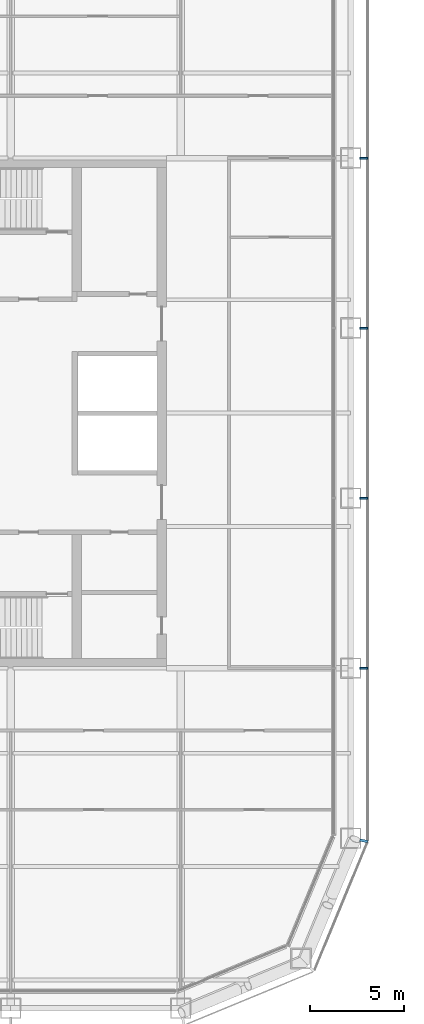
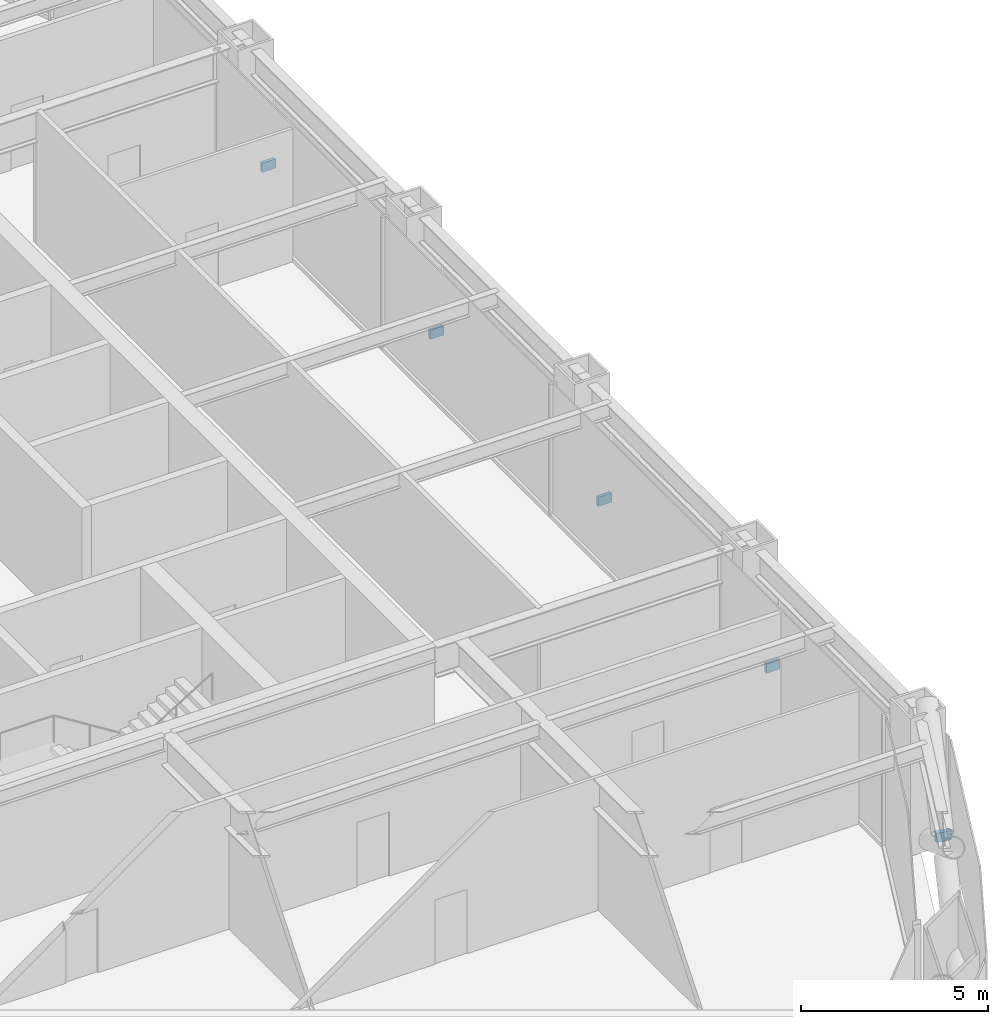
# One storey, part 21 of 30: 5 discrete accessories.
"""IFC4 building model written with IfcOpenShell, lengths in metres."""

from ifc_helpers import new_model, si_unit, direction, frame, origin, origin_2d, place, context, subcontext, project, spatial, rectangle, extrude, material, type_object, element, save


model = new_model("IFC4")

# Units and contexts
model_context = context("Model", 3, precision=1e-05, world=origin(), true_north=direction((0.0, 1.0)))
body_context = subcontext(model_context, "Body", "Model", "MODEL_VIEW")
ifc_project = project(units=[si_unit("LENGTHUNIT", "METRE"), si_unit("AREAUNIT", "SQUARE_METRE"), si_unit("VOLUMEUNIT", "CUBIC_METRE"), si_unit("PLANEANGLEUNIT", "RADIAN"), si_unit("MASSUNIT", "GRAM", prefix="KILO")], contexts=[model_context])

# Site, building, storey
site_placement = place(None, origin())
site = spatial("IfcSite", under=ifc_project, at=site_placement, CompositionType="ELEMENT")
building_placement = place(site_placement, origin())
building = spatial("IfcBuilding", under=site, at=building_placement, Name="Siwar Civic Tower", CompositionType="ELEMENT")
storey_placement = place(building_placement, frame((0.0, 0.0, 44.699951171875)))
storey = spatial("IfcBuildingStorey", under=building, at=storey_placement, Name="L09", CompositionType="ELEMENT", Elevation=44.699951171875)

# Discrete accessories
ifc_material = material(Name="Stainless steel 316", Category="steel")
discrete_accessory_type = type_object("IfcDiscreteAccessoryType", Name="ENV-BRACKET", PredefinedType="BRACKET", material=ifc_material)
for number, where, z_axis, x_axis, name in (
    (1, (32.18994140625, -13.5, -0.14990234375), (0.0, 0.0, 1.0), (1.0, 0.0, 0.0), "Bracket outer skin joint E-01"),
    (2, (32.18994140625, -4.5, -0.14990234375), (0.0, 0.0, 1.0), (1.0, 0.0, 0.0), "Bracket outer skin joint E-02"),
    (3, (32.18994140625, 4.5, -0.14990234375), (0.0, 0.0, 1.0), (1.0, 0.0, 0.0), "Bracket outer skin joint E-03"),
    (4, (32.18994140625, 13.5, -0.14990234375), (0.0, 0.0, 1.0), (1.0, 0.0, 0.0), "Bracket outer skin joint E-04"),
):
    element("IfcDiscreteAccessory", number, at=place(storey_placement, frame(where, z_axis=z_axis, x_axis=x_axis)), inside=storey, type_object=discrete_accessory_type, Name=name, PredefinedType="BRACKET", context=body_context, shape_type="SweptSolid", body=[
        extrude(rectangle(XDim=0.419921875, YDim=0.10009765625, at=origin_2d()), origin(), (0.0, 0.0, 1.0), 0.300048828125),
    ])
discrete_accessory_placement = place(storey_placement, frame((32.190185546875, -22.63720703125, -0.14990234375), z_axis=(0.0, 0.0, 1.0), x_axis=(0.980785280403, -0.195090322016, 0.0)))
element("IfcDiscreteAccessory", 5, at=discrete_accessory_placement, inside=storey, type_object=discrete_accessory_type, Name="Bracket outer skin joint V03", PredefinedType="BRACKET", context=body_context, shape_type="SweptSolid", body=[
    extrude(rectangle(XDim=0.427734375, YDim=0.13720703125, at=origin_2d()), origin(), (0.0, 0.0, 1.0), 0.300048828125),
])

save(model, "model.ifc")
